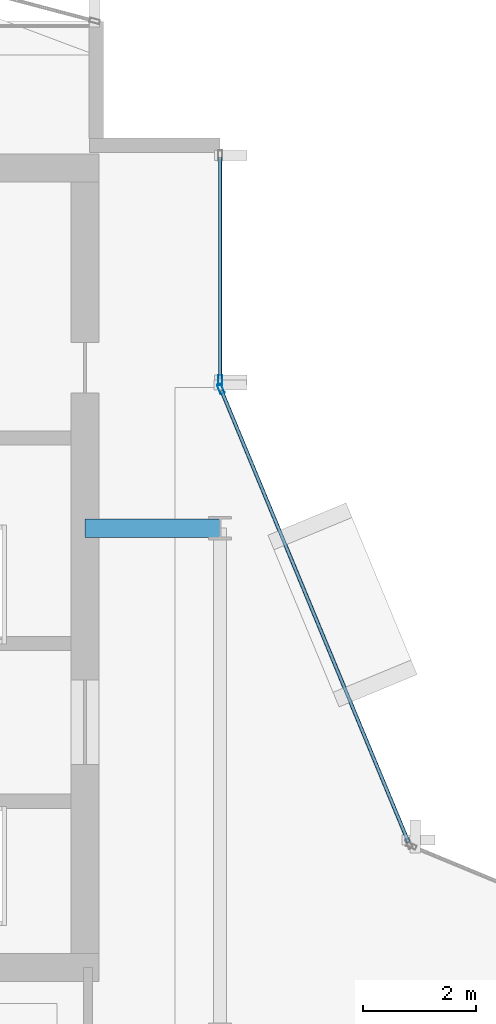
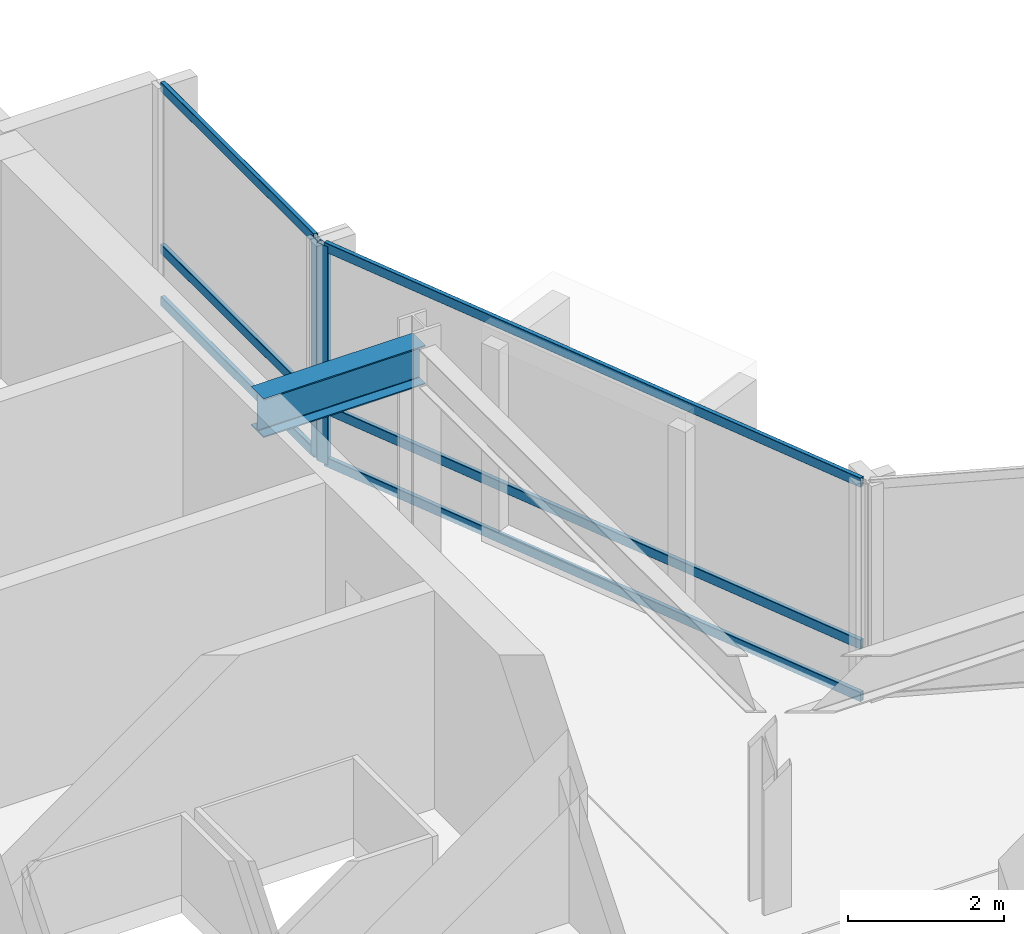
# One storey, part 17 of 27: 8 members, 1 beam, 2 elements without a shape of their own.
"""IFC4 building model written with IfcOpenShell, lengths in metres."""

from ifc_helpers import new_model, si_unit, direction, frame, origin, origin_2d, place, context, subcontext, project, spatial, hollow_rectangle, i_section, extrude, material, layer, layer_set, material_profile, profile_set, type_object, element, aggregate, save


model = new_model("IFC4")

# Units and contexts
model_context = context("Model", 3, precision=1e-05, world=origin(), true_north=direction((0.0, 1.0)))
body_context = subcontext(model_context, "Body", "Model", "MODEL_VIEW")
ifc_project = project(units=[si_unit("LENGTHUNIT", "METRE"), si_unit("AREAUNIT", "SQUARE_METRE"), si_unit("VOLUMEUNIT", "CUBIC_METRE"), si_unit("PLANEANGLEUNIT", "RADIAN"), si_unit("MASSUNIT", "GRAM", prefix="KILO")], contexts=[model_context])

# Site, building, storey
site_placement = place(None, origin())
site = spatial("IfcSite", under=ifc_project, at=site_placement, CompositionType="ELEMENT")
building_placement = place(site_placement, origin())
building = spatial("IfcBuilding", under=site, at=building_placement, Name="Solvaryn Broadcast Tower", CompositionType="ELEMENT")
storey_placement = place(building_placement, frame((0.0, 0.0, 177.89990234375)))
storey = spatial("IfcBuildingStorey", under=building, at=storey_placement, Name="L44", CompositionType="ELEMENT", Elevation=177.89990234375)

# Beam
ifc_material_1 = material(Name="Steel ASTM A992 Grade 50", Category="steel")
ifc_material_profile_1 = material_profile(ifc_material_1, i_section(OverallWidth=0.323974609375, OverallDepth=0.611083984375, WebThickness=0.0126953125, FlangeThickness=0.01904296875, FilletRadius=0.014892578125, at=origin_2d()))
ifc_profile_set_1 = profile_set([ifc_material_profile_1], Name="Steel ASTM A992 Grade 50")
beam_type = type_object("IfcBeamType", Name="BM-B1-W24X104", PredefinedType="BEAM", material=ifc_profile_set_1)
beam_placement = place(storey_placement, frame((24.60009765625, 36.0, 3.114501953125), z_axis=(1.0, 0.0, 0.0), x_axis=(0.0, 1.0, 0.0)))
element("IfcBeam", 1, at=beam_placement, inside=storey, type_object=beam_type, Name="L44 Core Tie Beam CTW2", PredefinedType="BEAM", context=body_context, shape_type="SweptSolid", body=[
    extrude(i_section(OverallWidth=0.323974609375, OverallDepth=0.611083984375, WebThickness=0.0126953125, FlangeThickness=0.01904296875, FilletRadius=0.014892578125, at=origin_2d()), origin(), (0.0, 0.0, 1.0), 2.39990234375),
])

# Curtain wall, member
ifc_material_2 = material(Name="Aluminium and Terracotta Unitised Curtain Wall", Category="masonry")
ifc_layer = layer(ifc_material_2, 0.199951171875)
ifc_layer_set = layer_set([ifc_layer], Name="CW-SYS2-LOWMID")
curtain_wall_type = type_object("IfcCurtainWallType", Name="CW-SYS2-LOWMID", PredefinedType="NOTDEFINED", material=ifc_layer_set)
curtain_wall_1_placement = place(storey_placement, origin())
curtain_wall_1 = element("IfcCurtainWall", 2, at=curtain_wall_1_placement, inside=storey, type_object=curtain_wall_type, Name="L44 Curtain Wall IV", PredefinedType="NOTDEFINED")
ifc_material_3 = material(Name="Anodised Aluminium 6063-T6", Category="aluminium")
ifc_material_profile_2 = material_profile(ifc_material_3, hollow_rectangle(XDim=0.074951171875, YDim=0.179931640625, WallThickness=0.00390625, InnerFilletRadius=0.00390625, OuterFilletRadius=0.008056640625, at=origin_2d()))
ifc_profile_set_2 = profile_set([ifc_material_profile_2], Name="Anodised Aluminium 6063-T6")
member_type_1 = type_object("IfcMemberType", Name="CW-MUL-180", PredefinedType="MULLION", material=ifc_profile_set_2)
member_1_placement = place(storey_placement, frame((27.0, 38.6298828125, 0.0), z_axis=(0.0, 0.0, 1.0), x_axis=(1.0, 0.0, 0.0)))
member_1 = element("IfcMember", 3, at=member_1_placement, type_object=member_type_1, Name="CWS2 mullion 2", PredefinedType="MULLION", context=body_context, shape_type="SweptSolid", body=[
    extrude(hollow_rectangle(XDim=0.074951171875, YDim=0.179931640625, WallThickness=0.00390625, InnerFilletRadius=0.00390625, OuterFilletRadius=0.008056640625, at=origin_2d()), origin(), (0.0, 0.0, 1.0), 3.420166015625),
])

curtain_wall_2_placement = place(storey_placement, origin())
curtain_wall_2 = element("IfcCurtainWall", 4, at=curtain_wall_2_placement, inside=storey, type_object=curtain_wall_type, Name="L44 Curtain Wall CN2", PredefinedType="NOTDEFINED")
member_2_placement = place(storey_placement, frame((27.011474609375, 38.47216796875, 0.0), z_axis=(0.0, 0.0, 1.0), x_axis=(-0.923894983957, -0.382646127145, 0.0)))
member_2 = element("IfcMember", 5, at=member_2_placement, type_object=member_type_1, Name="CWS2 mullion 2", PredefinedType="MULLION", context=body_context, shape_type="SweptSolid", body=[
    extrude(hollow_rectangle(XDim=0.074951171875, YDim=0.179931640625, WallThickness=0.00390625, InnerFilletRadius=0.00390625, OuterFilletRadius=0.008056640625, at=origin_2d()), origin(), (0.0, 0.0, 1.0), 3.420166015625),
])

# Member
ifc_material_4 = material(Name="Anodised Aluminium 6063-T6", Category="aluminium")
ifc_material_profile_3 = material_profile(ifc_material_4, hollow_rectangle(XDim=0.06494140625, YDim=0.14990234375, WallThickness=0.00390625, InnerFilletRadius=0.00390625, OuterFilletRadius=0.008056640625, at=origin_2d()))
ifc_profile_set_3 = profile_set([ifc_material_profile_3], Name="Anodised Aluminium 6063-T6")
member_type_2 = type_object("IfcMemberType", Name="CW-TRN-150", PredefinedType="USERDEFINED", material=ifc_profile_set_3)
member_3_placement = place(storey_placement, frame((27.0, 42.590087890625, 0.030029296875), z_axis=(0.0, -1.0, 0.0), x_axis=(1.0, 0.0, 0.0)))
member_3 = element("IfcMember", 6, at=member_3_placement, type_object=member_type_2, Name="CWS2 transom 1.1", ObjectType="TRANSOM", PredefinedType="USERDEFINED", context=body_context, shape_type="SweptSolid", body=[
    extrude(hollow_rectangle(XDim=0.06494140625, YDim=0.14990234375, WallThickness=0.00390625, InnerFilletRadius=0.00390625, OuterFilletRadius=0.008056640625, at=origin_2d()), origin(), (0.0, 0.0, 1.0), 3.93017578125),
])

member_4_placement = place(storey_placement, frame((27.0, 42.590087890625, 0.85009765625), z_axis=(0.0, -1.0, 0.0), x_axis=(1.0, 0.0, 0.0)))
member_4 = element("IfcMember", 7, at=member_4_placement, type_object=member_type_2, Name="CWS2 transom 1.2", ObjectType="TRANSOM", PredefinedType="USERDEFINED", context=body_context, shape_type="SweptSolid", body=[
    extrude(hollow_rectangle(XDim=0.06494140625, YDim=0.14990234375, WallThickness=0.00390625, InnerFilletRadius=0.00390625, OuterFilletRadius=0.008056640625, at=origin_2d()), origin(), (0.0, 0.0, 1.0), 3.93017578125),
])

member_5_placement = place(storey_placement, frame((27.0, 42.590087890625, 3.39013671875), z_axis=(0.0, -1.0, 0.0), x_axis=(1.0, 0.0, 0.0)))
member_5 = element("IfcMember", 8, at=member_5_placement, type_object=member_type_2, Name="CWS2 transom 1.3", ObjectType="TRANSOM", PredefinedType="USERDEFINED", context=body_context, shape_type="SweptSolid", body=[
    extrude(hollow_rectangle(XDim=0.06494140625, YDim=0.14990234375, WallThickness=0.00390625, InnerFilletRadius=0.00390625, OuterFilletRadius=0.008056640625, at=origin_2d()), origin(), (0.0, 0.0, 1.0), 3.93017578125),
])

aggregate(curtain_wall_1, [member_1, member_3, member_4, member_5])

member_6_placement = place(storey_placement, frame((30.344970703125, 30.42333984375, 0.030029296875), z_axis=(-0.382635748975, 0.923899282177, 0.0), x_axis=(-0.923899282177, -0.382635748975, 0.0)))
member_6 = element("IfcMember", 9, at=member_6_placement, type_object=member_type_2, Name="CWS2 transom 1.1", ObjectType="TRANSOM", PredefinedType="USERDEFINED", context=body_context, shape_type="SweptSolid", body=[
    extrude(hollow_rectangle(XDim=0.06494140625, YDim=0.14990234375, WallThickness=0.00390625, InnerFilletRadius=0.00390625, OuterFilletRadius=0.008056640625, at=origin_2d()), origin(), (0.0, 0.0, 1.0), 8.681884765625),
])

member_7_placement = place(storey_placement, frame((30.344970703125, 30.42333984375, 0.85009765625), z_axis=(-0.382635748975, 0.923899282177, 0.0), x_axis=(-0.923899282177, -0.382635748975, 0.0)))
member_7 = element("IfcMember", 10, at=member_7_placement, type_object=member_type_2, Name="CWS2 transom 1.2", ObjectType="TRANSOM", PredefinedType="USERDEFINED", context=body_context, shape_type="SweptSolid", body=[
    extrude(hollow_rectangle(XDim=0.06494140625, YDim=0.14990234375, WallThickness=0.00390625, InnerFilletRadius=0.00390625, OuterFilletRadius=0.008056640625, at=origin_2d()), origin(), (0.0, 0.0, 1.0), 8.681884765625),
])

member_8_placement = place(storey_placement, frame((30.344970703125, 30.42333984375, 3.39013671875), z_axis=(-0.382635748975, 0.923899282177, 0.0), x_axis=(-0.923899282177, -0.382635748975, 0.0)))
member_8 = element("IfcMember", 11, at=member_8_placement, type_object=member_type_2, Name="CWS2 transom 1.3", ObjectType="TRANSOM", PredefinedType="USERDEFINED", context=body_context, shape_type="SweptSolid", body=[
    extrude(hollow_rectangle(XDim=0.06494140625, YDim=0.14990234375, WallThickness=0.00390625, InnerFilletRadius=0.00390625, OuterFilletRadius=0.008056640625, at=origin_2d()), origin(), (0.0, 0.0, 1.0), 8.681884765625),
])

aggregate(curtain_wall_2, [member_2, member_6, member_7, member_8])

save(model, "model.ifc")
